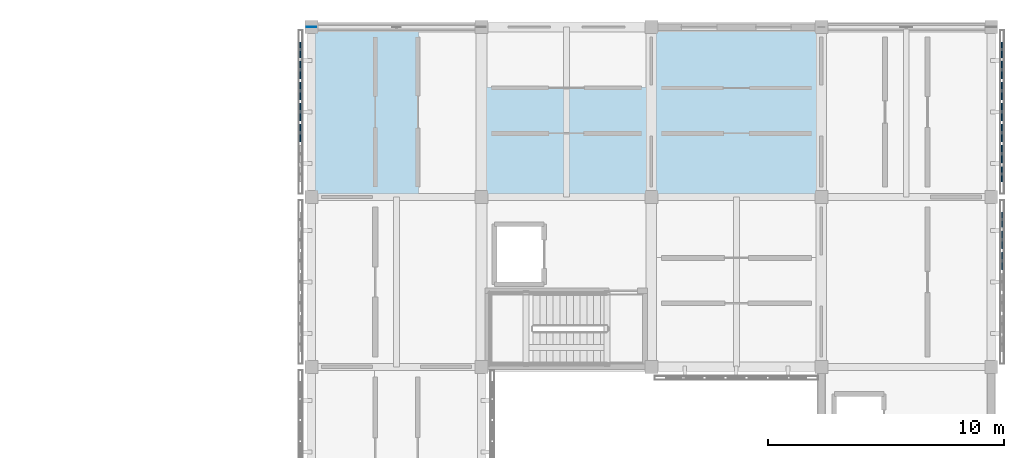
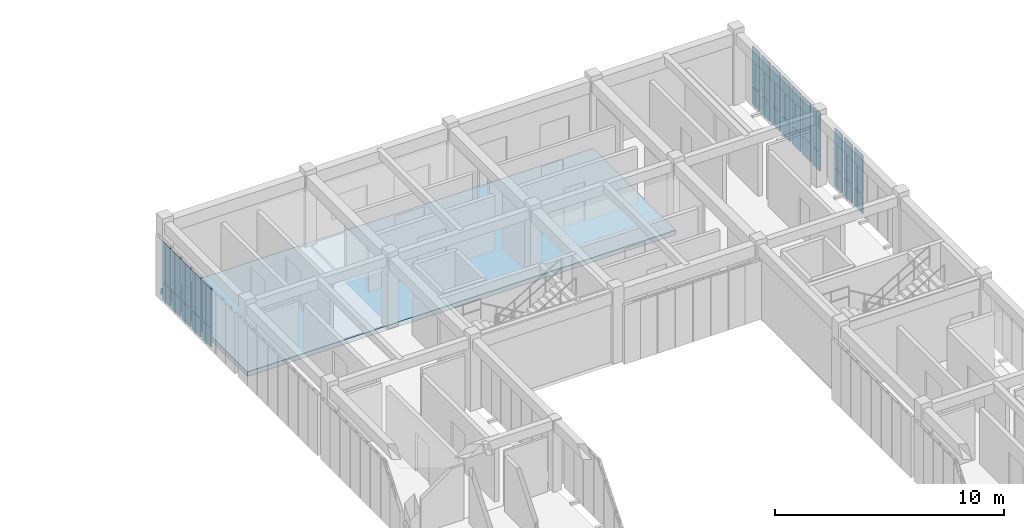
# One storey, part 50 of 67: 31 plates, 1 slab, 3 elements without a shape of their own.
"""IFC4 building model written with IfcOpenShell, lengths in metres."""

from ifc_helpers import new_model, si_unit, direction, frame, origin, origin_2d, place, context, subcontext, project, spatial, polyline, rectangle, outline, extrude, material, layer, layer_set, type_object, element, aggregate, save


model = new_model("IFC4")

# Units and contexts
model_context = context("Model", 3, precision=1e-05, world=origin(), true_north=direction((0.0, 1.0)))
body_context = subcontext(model_context, "Body", "Model", "MODEL_VIEW")
ifc_project = project(units=[si_unit("LENGTHUNIT", "METRE"), si_unit("AREAUNIT", "SQUARE_METRE"), si_unit("VOLUMEUNIT", "CUBIC_METRE"), si_unit("PLANEANGLEUNIT", "RADIAN"), si_unit("MASSUNIT", "GRAM", prefix="KILO")], contexts=[model_context])

# Site, building, storey
site_placement = place(None, origin())
site = spatial("IfcSite", under=ifc_project, at=site_placement, CompositionType="ELEMENT")
building_placement = place(site_placement, origin())
building = spatial("IfcBuilding", under=site, at=building_placement, Name="Aldebral Square Health Centre", CompositionType="ELEMENT")
storey_placement = place(building_placement, frame((0.0, 0.0, 13.5)))
storey = spatial("IfcBuildingStorey", under=building, at=storey_placement, Name="L03", CompositionType="ELEMENT", Elevation=13.5)

# Curtain wall, plates
ifc_material_1 = material(Name="Aluminium and low-E solar glass", Category="aluminium")
curtain_wall_type = type_object("IfcCurtainWallType", Name="CW-FIN-SYS", PredefinedType="USERDEFINED", material=ifc_material_1)
curtain_wall_1_placement = place(storey_placement, origin())
curtain_wall_1 = element("IfcCurtainWall", 1, at=curtain_wall_1_placement, inside=storey, type_object=curtain_wall_type, Name="L03 V5 finned curtain wall L03-V5-22-14-E", ObjectType="SOLAR_CURTAIN_WALL", PredefinedType="USERDEFINED")
ifc_material_2 = material(Name="Solar-control low-E double glass", Category="glass")
ifc_layer_1 = layer(ifc_material_2, 0.050048828125, Name="Solar-control low-E double glass", Category="glass")
ifc_layer_set_1 = layer_set([ifc_layer_1], Name="Solar-control low-E double glass")
plate_type_1 = type_object("IfcPlateType", Name="CWP-GLZ-4", PredefinedType="CURTAIN_PANEL", material=ifc_layer_set_1)
plate_1_placement = place(storey_placement, frame((166.06005859375, 105.29150390625, 0.074951171875), z_axis=(0.0, 0.0, 1.0), x_axis=(0.0, 1.0, 0.0)))
plate_1 = element("IfcPlate", 2, at=plate_1_placement, type_object=plate_type_1, Name="CW1 panel 5.1", PredefinedType="CURTAIN_PANEL", context=body_context, shape_type="SweptSolid", body=[
    extrude(rectangle(XDim=0.7314453125, YDim=0.050048828125, at=origin_2d()), origin(), (0.0, 0.0, 1.0), 0.9375),
])
plate_2_placement = place(storey_placement, frame((166.06005859375, 105.29150390625, 1.08740234375), z_axis=(0.0, 0.0, 1.0), x_axis=(0.0, 1.0, 0.0)))
plate_2 = element("IfcPlate", 3, at=plate_2_placement, type_object=plate_type_1, Name="CW1 panel 5.2", PredefinedType="CURTAIN_PANEL", context=body_context, shape_type="SweptSolid", body=[
    extrude(rectangle(XDim=0.7314453125, YDim=0.050048828125, at=origin_2d()), origin(), (0.0, 0.0, 1.0), 2.077392578125),
])
plate_3_placement = place(storey_placement, frame((166.06005859375, 106.182861328125, 0.074951171875), z_axis=(0.0, 0.0, 1.0), x_axis=(0.0, 1.0, 0.0)))
plate_3 = element("IfcPlate", 4, at=plate_3_placement, type_object=plate_type_1, Name="CW1 panel 6.1", PredefinedType="CURTAIN_PANEL", context=body_context, shape_type="SweptSolid", body=[
    extrude(rectangle(XDim=0.7314453125, YDim=0.050048828125, at=origin_2d()), origin(), (0.0, 0.0, 1.0), 0.9375),
])
plate_4_placement = place(storey_placement, frame((166.06005859375, 106.182861328125, 1.08740234375), z_axis=(0.0, 0.0, 1.0), x_axis=(0.0, 1.0, 0.0)))
plate_4 = element("IfcPlate", 5, at=plate_4_placement, type_object=plate_type_1, Name="CW1 panel 6.2", PredefinedType="CURTAIN_PANEL", context=body_context, shape_type="SweptSolid", body=[
    extrude(rectangle(XDim=0.7314453125, YDim=0.050048828125, at=origin_2d()), origin(), (0.0, 0.0, 1.0), 2.077392578125),
])
plate_5_placement = place(storey_placement, frame((166.06005859375, 107.0341796875, 0.074951171875), z_axis=(0.0, 0.0, 1.0), x_axis=(0.0, 1.0, 0.0)))
plate_5 = element("IfcPlate", 6, at=plate_5_placement, type_object=plate_type_1, Name="CW1 panel 7.1", PredefinedType="CURTAIN_PANEL", context=body_context, shape_type="SweptSolid", body=[
    extrude(rectangle(XDim=0.6513671875, YDim=0.050048828125, at=origin_2d()), origin(), (0.0, 0.0, 1.0), 0.9375),
])
plate_6_placement = place(storey_placement, frame((166.06005859375, 107.0341796875, 1.08740234375), z_axis=(0.0, 0.0, 1.0), x_axis=(0.0, 1.0, 0.0)))
plate_6 = element("IfcPlate", 7, at=plate_6_placement, type_object=plate_type_1, Name="CW1 panel 7.2", PredefinedType="CURTAIN_PANEL", context=body_context, shape_type="SweptSolid", body=[
    extrude(rectangle(XDim=0.6513671875, YDim=0.050048828125, at=origin_2d()), origin(), (0.0, 0.0, 1.0), 2.077392578125),
])
aggregate(curtain_wall_1, [plate_1, plate_2, plate_3, plate_4, plate_5, plate_6])

curtain_wall_2_placement = place(storey_placement, origin())
curtain_wall_2 = element("IfcCurtainWall", 8, at=curtain_wall_2_placement, inside=storey, type_object=curtain_wall_type, Name="L03 V5 finned curtain wall L03-V5-19-15-W", ObjectType="SOLAR_CURTAIN_WALL", PredefinedType="USERDEFINED")
ifc_layer_2 = layer(ifc_material_2, 0.06005859375, Name="Solar-control low-E double glass", Category="glass")
ifc_layer_set_2 = layer_set([ifc_layer_2], Name="Solar-control low-E double glass")
plate_type_2 = type_object("IfcPlateType", Name="CWP-GLZ-5", PredefinedType="CURTAIN_PANEL", material=ifc_layer_set_2)
plate_7_placement = place(storey_placement, frame((136.340087890625, 114.234375, 0.074951171875), z_axis=(0.0, 0.0, 1.0), x_axis=(0.0, -1.0, 0.0)))
plate_7 = element("IfcPlate", 9, at=plate_7_placement, type_object=plate_type_2, Name="CW1 panel 1.1", PredefinedType="CURTAIN_PANEL", context=body_context, shape_type="SweptSolid", body=[
    extrude(rectangle(XDim=0.6513671875, YDim=0.06005859375, at=origin_2d()), origin(), (0.0, 0.0, 1.0), 0.9375),
])
plate_8_placement = place(storey_placement, frame((136.340087890625, 114.234375, 1.08740234375), z_axis=(0.0, 0.0, 1.0), x_axis=(0.0, -1.0, 0.0)))
plate_8 = element("IfcPlate", 10, at=plate_8_placement, type_object=plate_type_2, Name="CW1 panel 1.2", PredefinedType="CURTAIN_PANEL", context=body_context, shape_type="SweptSolid", body=[
    extrude(rectangle(XDim=0.6513671875, YDim=0.06005859375, at=origin_2d()), origin(), (0.0, 0.0, 1.0), 2.077392578125),
])
plate_9_placement = place(storey_placement, frame((136.340087890625, 113.3828125, 0.074951171875), z_axis=(0.0, 0.0, 1.0), x_axis=(0.0, -1.0, 0.0)))
plate_9 = element("IfcPlate", 11, at=plate_9_placement, type_object=plate_type_2, Name="CW1 panel 2.1", PredefinedType="CURTAIN_PANEL", context=body_context, shape_type="SweptSolid", body=[
    extrude(rectangle(XDim=0.7314453125, YDim=0.06005859375, at=origin_2d()), origin(), (0.0, 0.0, 1.0), 0.9375),
])
plate_10_placement = place(storey_placement, frame((136.340087890625, 113.3828125, 1.08740234375), z_axis=(0.0, 0.0, 1.0), x_axis=(0.0, -1.0, 0.0)))
plate_10 = element("IfcPlate", 12, at=plate_10_placement, type_object=plate_type_2, Name="CW1 panel 2.2", PredefinedType="CURTAIN_PANEL", context=body_context, shape_type="SweptSolid", body=[
    extrude(rectangle(XDim=0.7314453125, YDim=0.06005859375, at=origin_2d()), origin(), (0.0, 0.0, 1.0), 2.077392578125),
])
plate_11_placement = place(storey_placement, frame((136.340087890625, 112.491455078125, 0.074951171875), z_axis=(0.0, 0.0, 1.0), x_axis=(0.0, -1.0, 0.0)))
plate_11 = element("IfcPlate", 13, at=plate_11_placement, type_object=plate_type_2, Name="CW1 panel 3.1", PredefinedType="CURTAIN_PANEL", context=body_context, shape_type="SweptSolid", body=[
    extrude(rectangle(XDim=0.7314453125, YDim=0.06005859375, at=origin_2d()), origin(), (0.0, 0.0, 1.0), 0.9375),
])
plate_12_placement = place(storey_placement, frame((136.340087890625, 112.491455078125, 1.08740234375), z_axis=(0.0, 0.0, 1.0), x_axis=(0.0, -1.0, 0.0)))
plate_12 = element("IfcPlate", 14, at=plate_12_placement, type_object=plate_type_2, Name="CW1 panel 3.2", PredefinedType="CURTAIN_PANEL", context=body_context, shape_type="SweptSolid", body=[
    extrude(rectangle(XDim=0.7314453125, YDim=0.06005859375, at=origin_2d()), origin(), (0.0, 0.0, 1.0), 2.077392578125),
])
plate_13_placement = place(storey_placement, frame((136.340087890625, 111.60009765625, 0.074951171875), z_axis=(0.0, 0.0, 1.0), x_axis=(0.0, -1.0, 0.0)))
plate_13 = element("IfcPlate", 15, at=plate_13_placement, type_object=plate_type_2, Name="CW1 panel 4.1", PredefinedType="CURTAIN_PANEL", context=body_context, shape_type="SweptSolid", body=[
    extrude(rectangle(XDim=0.7314453125, YDim=0.06005859375, at=origin_2d()), origin(), (0.0, 0.0, 1.0), 0.9375),
])
plate_14_placement = place(storey_placement, frame((136.340087890625, 111.60009765625, 1.08740234375), z_axis=(0.0, 0.0, 1.0), x_axis=(0.0, -1.0, 0.0)))
plate_14 = element("IfcPlate", 16, at=plate_14_placement, type_object=plate_type_2, Name="CW1 panel 4.2", PredefinedType="CURTAIN_PANEL", context=body_context, shape_type="SweptSolid", body=[
    extrude(rectangle(XDim=0.7314453125, YDim=0.06005859375, at=origin_2d()), origin(), (0.0, 0.0, 1.0), 2.077392578125),
])
plate_15_placement = place(storey_placement, frame((136.340087890625, 110.70849609375, 0.074951171875), z_axis=(0.0, 0.0, 1.0), x_axis=(0.0, -1.0, 0.0)))
plate_15 = element("IfcPlate", 17, at=plate_15_placement, type_object=plate_type_2, Name="CW1 panel 5.1", PredefinedType="CURTAIN_PANEL", context=body_context, shape_type="SweptSolid", body=[
    extrude(rectangle(XDim=0.7314453125, YDim=0.06005859375, at=origin_2d()), origin(), (0.0, 0.0, 1.0), 0.9375),
])
plate_16_placement = place(storey_placement, frame((136.340087890625, 110.70849609375, 1.08740234375), z_axis=(0.0, 0.0, 1.0), x_axis=(0.0, -1.0, 0.0)))
plate_16 = element("IfcPlate", 18, at=plate_16_placement, type_object=plate_type_2, Name="CW1 panel 5.2", PredefinedType="CURTAIN_PANEL", context=body_context, shape_type="SweptSolid", body=[
    extrude(rectangle(XDim=0.7314453125, YDim=0.06005859375, at=origin_2d()), origin(), (0.0, 0.0, 1.0), 2.077392578125),
])
aggregate(curtain_wall_2, [plate_7, plate_8, plate_9, plate_10, plate_11, plate_12, plate_13, plate_14, plate_15, plate_16])

curtain_wall_3_placement = place(storey_placement, origin())
curtain_wall_3 = element("IfcCurtainWall", 19, at=curtain_wall_3_placement, inside=storey, type_object=curtain_wall_type, Name="L03 V5 finned curtain wall L03-V5-22-15-E", ObjectType="SOLAR_CURTAIN_WALL", PredefinedType="USERDEFINED")
plate_17_placement = place(storey_placement, frame((166.06005859375, 108.9658203125, 0.074951171875), z_axis=(0.0, 0.0, 1.0), x_axis=(0.0, 1.0, 0.0)))
plate_17 = element("IfcPlate", 20, at=plate_17_placement, type_object=plate_type_2, Name="CW1 panel 1.1", PredefinedType="CURTAIN_PANEL", context=body_context, shape_type="SweptSolid", body=[
    extrude(rectangle(XDim=0.6513671875, YDim=0.06005859375, at=origin_2d()), origin(), (0.0, 0.0, 1.0), 0.9375),
])
plate_18_placement = place(storey_placement, frame((166.06005859375, 108.9658203125, 1.08740234375), z_axis=(0.0, 0.0, 1.0), x_axis=(0.0, 1.0, 0.0)))
plate_18 = element("IfcPlate", 21, at=plate_18_placement, type_object=plate_type_2, Name="CW1 panel 1.2", PredefinedType="CURTAIN_PANEL", context=body_context, shape_type="SweptSolid", body=[
    extrude(rectangle(XDim=0.6513671875, YDim=0.06005859375, at=origin_2d()), origin(), (0.0, 0.0, 1.0), 2.077392578125),
])
plate_19_placement = place(storey_placement, frame((166.06005859375, 109.817138671875, 0.074951171875), z_axis=(0.0, 0.0, 1.0), x_axis=(0.0, 1.0, 0.0)))
plate_19 = element("IfcPlate", 22, at=plate_19_placement, type_object=plate_type_2, Name="CW1 panel 2.1", PredefinedType="CURTAIN_PANEL", context=body_context, shape_type="SweptSolid", body=[
    extrude(rectangle(XDim=0.7314453125, YDim=0.06005859375, at=origin_2d()), origin(), (0.0, 0.0, 1.0), 0.9375),
])
plate_20_placement = place(storey_placement, frame((166.06005859375, 109.817138671875, 1.08740234375), z_axis=(0.0, 0.0, 1.0), x_axis=(0.0, 1.0, 0.0)))
plate_20 = element("IfcPlate", 23, at=plate_20_placement, type_object=plate_type_2, Name="CW1 panel 2.2", PredefinedType="CURTAIN_PANEL", context=body_context, shape_type="SweptSolid", body=[
    extrude(rectangle(XDim=0.7314453125, YDim=0.06005859375, at=origin_2d()), origin(), (0.0, 0.0, 1.0), 2.077392578125),
])
plate_21_placement = place(storey_placement, frame((166.06005859375, 110.70849609375, 0.074951171875), z_axis=(0.0, 0.0, 1.0), x_axis=(0.0, 1.0, 0.0)))
plate_21 = element("IfcPlate", 24, at=plate_21_placement, type_object=plate_type_2, Name="CW1 panel 3.1", PredefinedType="CURTAIN_PANEL", context=body_context, shape_type="SweptSolid", body=[
    extrude(rectangle(XDim=0.7314453125, YDim=0.06005859375, at=origin_2d()), origin(), (0.0, 0.0, 1.0), 0.9375),
])
plate_22_placement = place(storey_placement, frame((166.06005859375, 110.70849609375, 1.08740234375), z_axis=(0.0, 0.0, 1.0), x_axis=(0.0, 1.0, 0.0)))
plate_22 = element("IfcPlate", 25, at=plate_22_placement, type_object=plate_type_2, Name="CW1 panel 3.2", PredefinedType="CURTAIN_PANEL", context=body_context, shape_type="SweptSolid", body=[
    extrude(rectangle(XDim=0.7314453125, YDim=0.06005859375, at=origin_2d()), origin(), (0.0, 0.0, 1.0), 2.077392578125),
])
plate_23_placement = place(storey_placement, frame((166.06005859375, 111.60009765625, 0.074951171875), z_axis=(0.0, 0.0, 1.0), x_axis=(0.0, 1.0, 0.0)))
plate_23 = element("IfcPlate", 26, at=plate_23_placement, type_object=plate_type_2, Name="CW1 panel 4.1", PredefinedType="CURTAIN_PANEL", context=body_context, shape_type="SweptSolid", body=[
    extrude(rectangle(XDim=0.7314453125, YDim=0.06005859375, at=origin_2d()), origin(), (0.0, 0.0, 1.0), 0.9375),
])
plate_24_placement = place(storey_placement, frame((166.06005859375, 111.60009765625, 1.08740234375), z_axis=(0.0, 0.0, 1.0), x_axis=(0.0, 1.0, 0.0)))
plate_24 = element("IfcPlate", 27, at=plate_24_placement, type_object=plate_type_2, Name="CW1 panel 4.2", PredefinedType="CURTAIN_PANEL", context=body_context, shape_type="SweptSolid", body=[
    extrude(rectangle(XDim=0.7314453125, YDim=0.06005859375, at=origin_2d()), origin(), (0.0, 0.0, 1.0), 2.077392578125),
])
plate_25_placement = place(storey_placement, frame((166.06005859375, 112.491455078125, 0.074951171875), z_axis=(0.0, 0.0, 1.0), x_axis=(0.0, 1.0, 0.0)))
plate_25 = element("IfcPlate", 28, at=plate_25_placement, type_object=plate_type_2, Name="CW1 panel 5.1", PredefinedType="CURTAIN_PANEL", context=body_context, shape_type="SweptSolid", body=[
    extrude(rectangle(XDim=0.7314453125, YDim=0.06005859375, at=origin_2d()), origin(), (0.0, 0.0, 1.0), 0.9375),
])
plate_26_placement = place(storey_placement, frame((166.06005859375, 112.491455078125, 1.08740234375), z_axis=(0.0, 0.0, 1.0), x_axis=(0.0, 1.0, 0.0)))
plate_26 = element("IfcPlate", 29, at=plate_26_placement, type_object=plate_type_2, Name="CW1 panel 5.2", PredefinedType="CURTAIN_PANEL", context=body_context, shape_type="SweptSolid", body=[
    extrude(rectangle(XDim=0.7314453125, YDim=0.06005859375, at=origin_2d()), origin(), (0.0, 0.0, 1.0), 2.077392578125),
])
plate_27_placement = place(storey_placement, frame((166.06005859375, 113.3828125, 0.074951171875), z_axis=(0.0, 0.0, 1.0), x_axis=(0.0, 1.0, 0.0)))
plate_27 = element("IfcPlate", 30, at=plate_27_placement, type_object=plate_type_2, Name="CW1 panel 6.1", PredefinedType="CURTAIN_PANEL", context=body_context, shape_type="SweptSolid", body=[
    extrude(rectangle(XDim=0.7314453125, YDim=0.06005859375, at=origin_2d()), origin(), (0.0, 0.0, 1.0), 0.9375),
])
plate_28_placement = place(storey_placement, frame((166.06005859375, 113.3828125, 1.08740234375), z_axis=(0.0, 0.0, 1.0), x_axis=(0.0, 1.0, 0.0)))
plate_28 = element("IfcPlate", 31, at=plate_28_placement, type_object=plate_type_2, Name="CW1 panel 6.2", PredefinedType="CURTAIN_PANEL", context=body_context, shape_type="SweptSolid", body=[
    extrude(rectangle(XDim=0.7314453125, YDim=0.06005859375, at=origin_2d()), origin(), (0.0, 0.0, 1.0), 2.077392578125),
])
plate_29_placement = place(storey_placement, frame((166.06005859375, 114.234375, 0.074951171875), z_axis=(0.0, 0.0, 1.0), x_axis=(0.0, 1.0, 0.0)))
plate_29 = element("IfcPlate", 32, at=plate_29_placement, type_object=plate_type_2, Name="CW1 panel 7.1", PredefinedType="CURTAIN_PANEL", context=body_context, shape_type="SweptSolid", body=[
    extrude(rectangle(XDim=0.6513671875, YDim=0.06005859375, at=origin_2d()), origin(), (0.0, 0.0, 1.0), 0.9375),
])
plate_30_placement = place(storey_placement, frame((166.06005859375, 114.234375, 1.08740234375), z_axis=(0.0, 0.0, 1.0), x_axis=(0.0, 1.0, 0.0)))
plate_30 = element("IfcPlate", 33, at=plate_30_placement, type_object=plate_type_2, Name="CW1 panel 7.2", PredefinedType="CURTAIN_PANEL", context=body_context, shape_type="SweptSolid", body=[
    extrude(rectangle(XDim=0.6513671875, YDim=0.06005859375, at=origin_2d()), origin(), (0.0, 0.0, 1.0), 2.077392578125),
])
aggregate(curtain_wall_3, [plate_17, plate_18, plate_19, plate_20, plate_21, plate_22, plate_23, plate_24, plate_25, plate_26, plate_27, plate_28, plate_29, plate_30])

# Plate
ifc_material_3 = material(Name="Steel S355JR", Category="steel")
ifc_layer_3 = layer(ifc_material_3, 0.01611328125, Name="Steel S355JR", Category="steel")
ifc_layer_set_3 = layer_set([ifc_layer_3], Name="Steel S355JR")
plate_type_3 = type_object("IfcPlateType", Name="PL-GUS-1", PredefinedType="USERDEFINED", material=ifc_layer_set_3)
plate_31_placement = place(storey_placement, frame((136.800048828125, 115.199951171875, -0.16015625), z_axis=(0.0, 0.0, 1.0), x_axis=(1.0, 0.0, 0.0)))
element("IfcPlate", 34, at=plate_31_placement, inside=storey, type_object=plate_type_3, Name="L03 north chevron brace 20 west base gusset plate", ObjectType="GUSSET_PLATE", PredefinedType="USERDEFINED", context=body_context, shape_type="SweptSolid", body=[
    extrude(rectangle(XDim=0.419921875, YDim=0.01611328125, at=origin_2d()), origin(), (0.0, 0.0, 1.0), 0.320068359375),
])

# Slab
ifc_material_4 = material(Name="Concrete C35/45", Category="concrete")
ifc_layer_4 = layer(ifc_material_4, 0.25, Name="Concrete C35/45", Category="concrete")
ifc_layer_set_4 = layer_set([ifc_layer_4], Name="Concrete C35/45")
slab_type = type_object("IfcSlabType", Name="SL-FLR-250", PredefinedType="FLOOR", material=ifc_layer_set_4)
slab_placement = place(storey_placement, frame((0.0, 0.0, -0.25)))
element("IfcSlab", 35, at=slab_placement, inside=storey, type_object=slab_type, Name="L03 V5 floor slab 3", PredefinedType="FLOOR", context=body_context, shape_type="SweptSolid", body=[
    extrude(outline(polyline([(136.800048828125, 115.199951171875), (144.0, 115.199951171875), (151.199951171875, 115.199951171875), (158.39990234375, 115.199951171875), (158.39990234375, 108.0), (151.199951171875, 108.0), (144.0, 108.0), (136.800048828125, 108.0), (136.800048828125, 115.199951171875)])), origin(), (0.0, 0.0, 1.0), 0.25),
])

save(model, "model.ifc")
